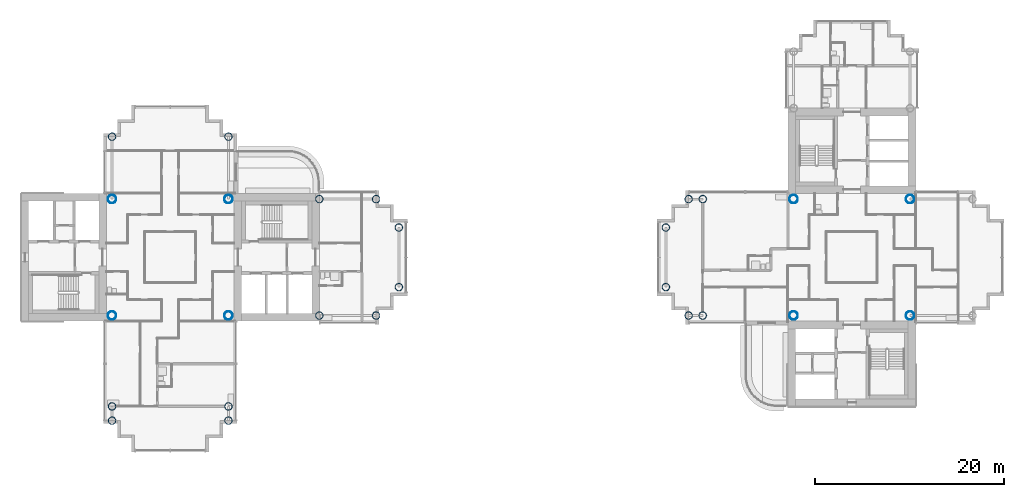
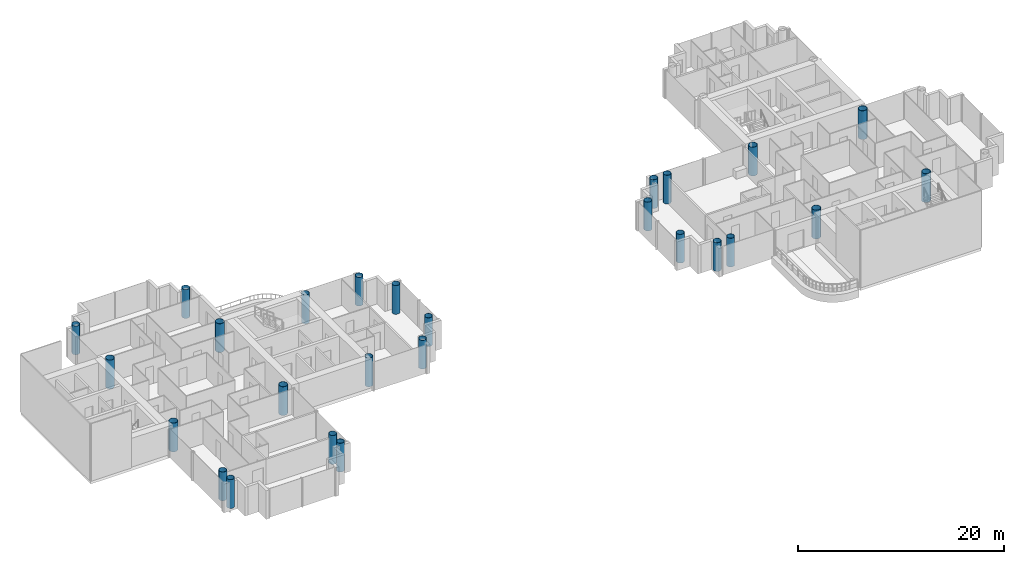
# One storey, part 1 of 19: 26 columns.
"""IFC4 building model written with IfcOpenShell, lengths in metres."""

from ifc_helpers import new_model, si_unit, direction, frame, origin, origin_2d, place, context, subcontext, project, spatial, hollow_circle, extrude, material, material_profile, profile_set, type_object, element, save


model = new_model("IFC4")

# Units and contexts
model_context = context("Model", 3, precision=1e-05, world=origin(), true_north=direction((0.0, 1.0)))
body_context = subcontext(model_context, "Body", "Model", "MODEL_VIEW")
ifc_project = project(units=[si_unit("LENGTHUNIT", "METRE"), si_unit("AREAUNIT", "SQUARE_METRE"), si_unit("VOLUMEUNIT", "CUBIC_METRE"), si_unit("PLANEANGLEUNIT", "RADIAN"), si_unit("MASSUNIT", "GRAM", prefix="KILO")], contexts=[model_context])

# Site, building, storey
site_placement = place(None, origin())
site = spatial("IfcSite", under=ifc_project, at=site_placement, CompositionType="ELEMENT")
building_placement = place(site_placement, origin())
building = spatial("IfcBuilding", under=site, at=building_placement, Name="Ipe Terrace Towers", CompositionType="ELEMENT")
storey_placement = place(building_placement, frame((0.0, 0.0, 147.300048828125)))
storey = spatial("IfcBuildingStorey", under=building, at=storey_placement, Name="L40", CompositionType="ELEMENT", Elevation=147.300048828125)

# Columns
ifc_material_1 = material(Name="Steel S355 tube with Concrete C60/75 fill", Category="concrete")
ifc_material_profile_1 = material_profile(ifc_material_1, hollow_circle(Radius=0.39990234375, WallThickness=0.028076171875, at=origin_2d()), Name="CHS-800x28")
ifc_profile_set_1 = profile_set([ifc_material_profile_1], Name="Steel S355 tube with Concrete C60/75 fill")
column_type_1 = type_object("IfcColumnType", Name="CH09 COLUMN CHS-800x28", PredefinedType="COLUMN", material=ifc_profile_set_1)
for number, where, z_axis, x_axis, name in (
    (1, (-20.25, -6.14990234375, 0.0), (0.0, 0.0, 1.0), (1.0, 0.0, 0.0), "Column T1-C-A01"),
    (2, (-20.25, 6.14990234375, 0.0), (0.0, 0.0, 1.0), (1.0, 0.0, 0.0), "Column T1-C-A02"),
    (3, (-14.25, -6.14990234375, 0.0), (0.0, 0.0, 1.0), (1.0, 0.0, 0.0), "Column T1-C-A03"),
    (4, (-14.25, 6.14990234375, 0.0), (0.0, 0.0, 1.0), (1.0, 0.0, 0.0), "Column T1-C-A04"),
    (5, (-11.85009765625, -3.14990234375, 0.0), (0.0, 0.0, 1.0), (1.0, 0.0, 0.0), "Column T1-C-A05"),
    (6, (-11.85009765625, 3.14990234375, 0.0), (0.0, 0.0, 1.0), (1.0, 0.0, 0.0), "Column T1-C-A06"),
    (7, (-29.85009765625, 12.75, 0.0), (0.0, 0.0, 1.0), (1.0, 0.0, 0.0), "Column T1-C-B01"),
    (8, (-42.14990234375, 12.75, 0.0), (0.0, 0.0, 1.0), (1.0, 0.0, 0.0), "Column T1-C-B02"),
    (9, (-42.14990234375, -15.75, 0.0), (0.0, 0.0, 1.0), (1.0, 0.0, 0.0), "Column T1-C-D03"),
    (10, (-29.85009765625, -15.75, 0.0), (0.0, 0.0, 1.0), (1.0, 0.0, 0.0), "Column T1-C-D04"),
    (11, (-42.14990234375, -17.25, 0.0), (0.0, 0.0, 1.0), (1.0, 0.0, 0.0), "Column T1-C-D05"),
    (12, (-29.85009765625, -17.25, 0.0), (0.0, 0.0, 1.0), (1.0, 0.0, 0.0), "Column T1-C-D06"),
    (13, (20.25, 6.14990234375, 0.0), (0.0, 0.0, 1.0), (1.0, 0.0, 0.0), "Column T2-C-B03"),
    (14, (20.25, -6.14990234375, 0.0), (0.0, 0.0, 1.0), (1.0, 0.0, 0.0), "Column T2-C-B04"),
    (15, (18.75, 6.14990234375, 0.0), (0.0, 0.0, 1.0), (1.0, 0.0, 0.0), "Column T2-C-B05"),
    (16, (18.75, -6.14990234375, 0.0), (0.0, 0.0, 1.0), (1.0, 0.0, 0.0), "Column T2-C-B06"),
    (17, (16.35009765625, 3.14990234375, 0.0), (0.0, 0.0, 1.0), (1.0, 0.0, 0.0), "Column T2-C-B07"),
    (18, (16.35009765625, -3.14990234375, 0.0), (0.0, 0.0, 1.0), (1.0, 0.0, 0.0), "Column T2-C-B08"),
):
    element("IfcColumn", number, at=place(storey_placement, frame(where, z_axis=z_axis, x_axis=x_axis)), inside=storey, type_object=column_type_1, Name=name, PredefinedType="COLUMN", context=body_context, shape_type="SweptSolid", body=[
        extrude(hollow_circle(Radius=0.39990234375, WallThickness=0.028076171875, at=origin_2d()), origin(), (0.0, 0.0, 1.0), 3.39990234375),
    ])
ifc_material_2 = material(Name="Steel S355 tube with Concrete C60/75 fill", Category="concrete")
ifc_material_profile_2 = material_profile(ifc_material_2, hollow_circle(Radius=0.449951171875, WallThickness=0.031982421875, at=origin_2d()), Name="CHS-900x32")
ifc_profile_set_2 = profile_set([ifc_material_profile_2], Name="Steel S355 tube with Concrete C60/75 fill")
column_type_2 = type_object("IfcColumnType", Name="CH10 COLUMN CHS-900x32", PredefinedType="COLUMN", material=ifc_profile_set_2)
for number, where, z_axis, x_axis, name in (
    (19, (-42.14990234375, -6.14990234375, 0.0), (0.0, 0.0, 1.0), (1.0, 0.0, 0.0), "Column T1-C-E01"),
    (20, (-29.85009765625, -6.14990234375, 0.0), (0.0, 0.0, 1.0), (1.0, 0.0, 0.0), "Column T1-C-E02"),
    (21, (-29.85009765625, 6.14990234375, 0.0), (0.0, 0.0, 1.0), (1.0, 0.0, 0.0), "Column T1-C-E03"),
    (22, (-42.14990234375, 6.14990234375, 0.0), (0.0, 0.0, 1.0), (1.0, 0.0, 0.0), "Column T1-C-E04"),
    (23, (42.14990234375, -6.14990234375, 0.0), (0.0, 0.0, 1.0), (1.0, 0.0, 0.0), "Column T2-C-E01"),
    (24, (42.14990234375, 6.14990234375, 0.0), (0.0, 0.0, 1.0), (1.0, 0.0, 0.0), "Column T2-C-E02"),
    (25, (29.85009765625, 6.14990234375, 0.0), (0.0, 0.0, 1.0), (1.0, 0.0, 0.0), "Column T2-C-E03"),
    (26, (29.85009765625, -6.14990234375, 0.0), (0.0, 0.0, 1.0), (1.0, 0.0, 0.0), "Column T2-C-E04"),
):
    element("IfcColumn", number, at=place(storey_placement, frame(where, z_axis=z_axis, x_axis=x_axis)), inside=storey, type_object=column_type_2, Name=name, PredefinedType="COLUMN", context=body_context, shape_type="SweptSolid", body=[
        extrude(hollow_circle(Radius=0.449951171875, WallThickness=0.031982421875, at=origin_2d()), origin(), (0.0, 0.0, 1.0), 3.39990234375),
    ])

save(model, "model.ifc")
